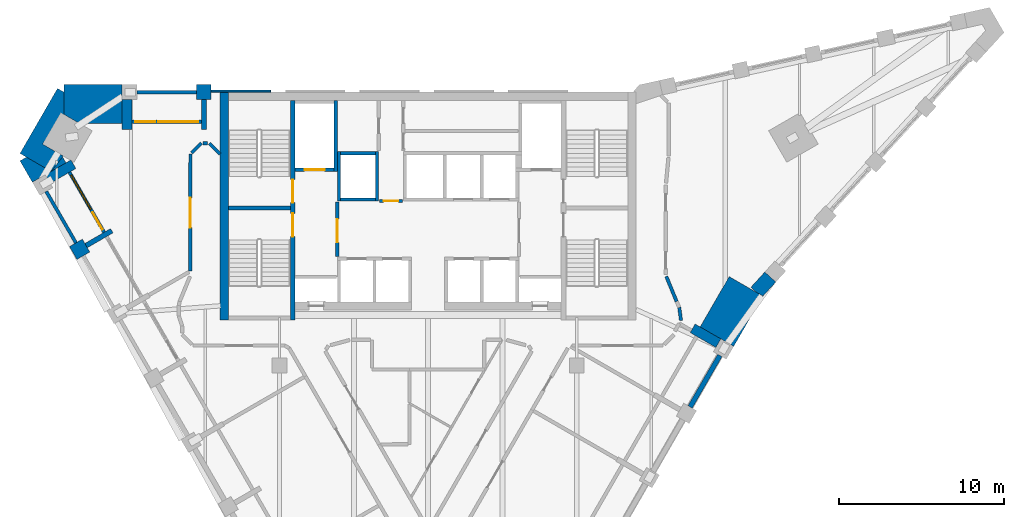
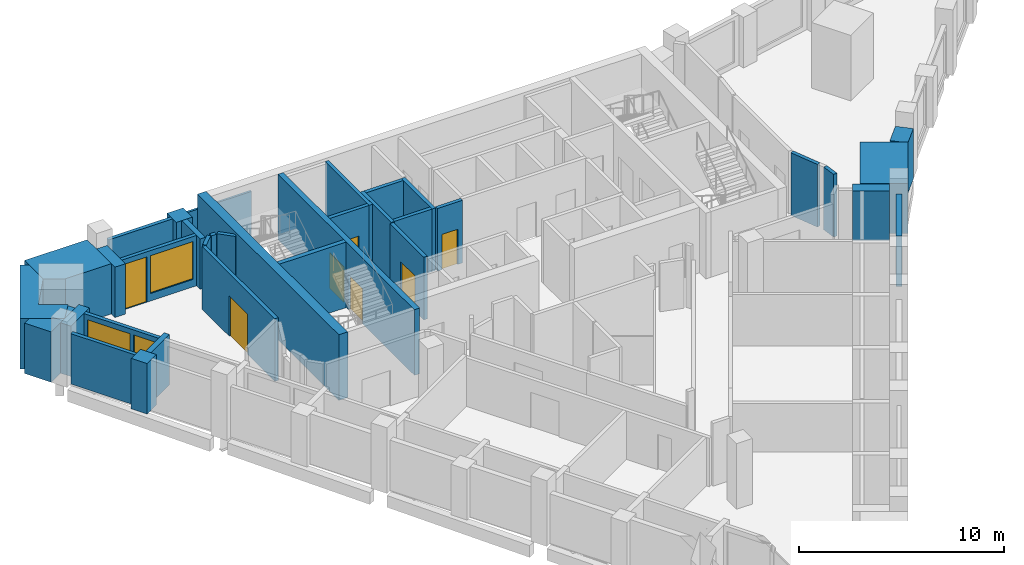
# One storey, part 5 of 8: 36 walls, 8 doors, 2 windows, 10 openings.
"""IFC4 building model written with IfcOpenShell, lengths in metres."""

from ifc_helpers import new_model, si_unit, direction, frame, frame_2d, origin, place, context, subcontext, project, spatial, polyline, rectangle, outline, extrude, material, layer, layer_set, type_object, element, fill, save


model = new_model("IFC4")

# Units and contexts
model_context = context("Model", 3, precision=1e-05, world=origin(), true_north=direction((0.0, 1.0)))
body_context = subcontext(model_context, "Body", "Model", "MODEL_VIEW")
ifc_project = project(units=[si_unit("LENGTHUNIT", "METRE"), si_unit("AREAUNIT", "SQUARE_METRE"), si_unit("VOLUMEUNIT", "CUBIC_METRE"), si_unit("PLANEANGLEUNIT", "RADIAN"), si_unit("MASSUNIT", "GRAM", prefix="KILO")], contexts=[model_context])

# Site, building, storey
site_placement = place(None, origin())
site = spatial("IfcSite", under=ifc_project, at=site_placement, CompositionType="ELEMENT")
building_placement = place(site_placement, origin())
building = spatial("IfcBuilding", under=site, at=building_placement, Name="Calabash Gate Tower", CompositionType="ELEMENT")
storey_placement = place(building_placement, frame((0.0, 0.0, 267.699951171875)))
storey = spatial("IfcBuildingStorey", under=building, at=storey_placement, Name="L64", CompositionType="ELEMENT", Elevation=267.699951171875)

# Walls
ifc_material_1 = material(Name="Terracotta brick masonry, exposed face", Category="masonry")
ifc_layer_1 = layer(ifc_material_1, 2.35009765625)
ifc_layer_set_1 = layer_set([ifc_layer_1], Name="Brick corner mass wall 2350")
wall_type_1 = type_object("IfcWallType", Name="Brick corner mass wall 2350", PredefinedType="SOLIDWALL", material=ifc_layer_set_1)
wall_1_placement = place(storey_placement, origin())
element("IfcWall", 1, at=wall_1_placement, inside=storey, type_object=wall_type_1, Name="Brick corner pier S18 2", PredefinedType="SOLIDWALL", context=body_context, shape_type="SweptSolid", body=[
    extrude(outline(polyline([(18.236083984375, 7.878173828125), (16.47607421875, 4.829833984375), (18.51123046875, 3.65478515625), (20.271240234375, 6.703125), (18.236083984375, 7.878173828125)])), origin(), (0.0, 0.0, 1.0), 2.9736328125),
])
wall_2_placement = place(storey_placement, origin())
element("IfcWall", 2, at=wall_2_placement, inside=storey, type_object=wall_type_1, Name="Brick corner pier S18 3a", PredefinedType="SOLIDWALL", context=body_context, shape_type="SweptSolid", body=[
    extrude(outline(polyline([(-21.11572265625, 17.152587890625), (-18.53857421875, 17.152587890625), (-18.53857421875, 18.60302734375), (-18.5390625, 18.60302734375), (-18.5390625, 19.50244140625), (-22.058349609375, 19.50244140625), (-22.058349609375, 17.69677734375), (-21.11572265625, 17.152587890625)])), origin(), (0.0, 0.0, 1.0), 3.0),
])
wall_3_placement = place(storey_placement, origin())
element("IfcWall", 3, at=wall_3_placement, inside=storey, type_object=wall_type_1, Name="Brick corner pier S18 3b", PredefinedType="SOLIDWALL", context=body_context, shape_type="SweptSolid", body=[
    extrude(outline(polyline([(-23.355712890625, 15.9052734375), (-22.058349609375, 17.69677734375), (-22.058349609375, 19.052490234375), (-22.4482421875, 19.277587890625), (-24.72216796875, 15.3388671875), (-22.836669921875, 14.250244140625), (-22.10009765625, 15.180419921875), (-23.355712890625, 15.9052734375)])), origin(), (0.0, 0.0, 1.0), 3.0),
])
wall_4_placement = place(storey_placement, origin())
element("IfcWall", 4, at=wall_4_placement, inside=storey, type_object=wall_type_1, Name="Brick corner pier S18 3ca", PredefinedType="SOLIDWALL", context=body_context, shape_type="SweptSolid", body=[
    extrude(outline(polyline([(-23.974609375, 13.59375), (-23.1953125, 14.043701171875), (-23.195068359375, 14.043212890625), (-22.836669921875, 14.250244140625), (-24.33251953125, 15.11376953125), (-24.72216796875, 14.888916015625), (-23.974609375, 13.59375)])), origin(), (0.0, 0.0, 1.0), 3.0),
])
wall_5_placement = place(storey_placement, origin())
element("IfcWall", 5, at=wall_5_placement, inside=storey, type_object=wall_type_1, Name="Brick corner pier S18 3cb", PredefinedType="SOLIDWALL", context=body_context, shape_type="SweptSolid", body=[
    extrude(outline(polyline([(-21.939208984375, 14.768310546875), (-22.14453125, 15.124267578125), (-22.836669921875, 14.250244140625), (-21.939208984375, 14.768310546875)])), origin(), (0.0, 0.0, 1.0), 3.0),
])
ifc_material_2 = material(Name="Terracotta brick masonry, exposed face", Category="masonry")
ifc_layer_2 = layer(ifc_material_2, 0.89990234375)
ifc_layer_set_2 = layer_set([ifc_layer_2], Name="Brick end wall 900")
wall_type_2 = type_object("IfcWallType", Name="Brick end wall 900", PredefinedType="SOLIDWALL", material=ifc_layer_set_2)
wall_6_placement = place(storey_placement, frame((-21.33447265625, 9.921142578125, 0.0), z_axis=(0.0, 0.0, 1.0), x_axis=(0.50001992892, -0.866013897511, 0.0)))
element("IfcWall", 6, at=wall_6_placement, inside=storey, type_object=wall_type_2, Name="Brick pier S18 SW0.1", PredefinedType="SOLIDWALL", context=body_context, shape_type="SweptSolid", body=[
    extrude(rectangle(XDim=0.89990234375, YDim=0.89990234375, at=frame_2d((0.449951171875, 0.0))), origin(), (0.0, 0.0, 1.0), 3.0),
])
wall_7_placement = place(storey_placement, origin())
element("IfcWall", 7, at=wall_7_placement, inside=storey, type_object=wall_type_2, Name="Brick pier S18 N6.5", PredefinedType="SOLIDWALL", context=body_context, shape_type="SweptSolid", body=[
    extrude(outline(polyline([(-13.138427734375, 19.50244140625), (-14.03857421875, 19.50244140625), (-14.03857421875, 18.6025390625), (-13.138427734375, 18.6025390625), (-13.138427734375, 19.50244140625)])), origin(), (0.0, 0.0, 1.0), 3.0),
])
wall_8_placement = place(storey_placement, origin())
element("IfcWall", 8, at=wall_8_placement, inside=storey, type_object=wall_type_2, Name="Brick end wall S18 1", PredefinedType="SOLIDWALL", context=body_context, shape_type="SweptSolid", body=[
    extrude(outline(polyline([(20.394775390625, 8.15625), (19.54931640625, 7.23193359375), (19.88134765625, 6.92822265625), (20.271240234375, 6.703125), (20.24658203125, 6.66064453125), (21.058837890625, 7.548828125), (20.394775390625, 8.15625)])), origin(), (0.0, 0.0, 1.0), 3.0),
])
ifc_material_3 = material(Name="Terracotta brick masonry, exposed face", Category="masonry")
ifc_layer_3 = layer(ifc_material_3, 0.300048828125)
ifc_layer_set_3 = layer_set([ifc_layer_3], Name="Brick infill panel wall 300")
wall_type_3 = type_object("IfcWallType", Name="Brick infill panel wall 300", PredefinedType="SOLIDWALL", material=ifc_layer_set_3)
wall_9_placement = place(storey_placement, frame((15.87158203125, -0.017333984375, 0.0), z_axis=(0.0, 0.0, 1.0), x_axis=(0.499990559667, 0.866030854095, 0.0)))
element("IfcWall", 9, at=wall_9_placement, inside=storey, type_object=wall_type_3, Name="Brick panel S18 SE2.6", PredefinedType="SOLIDWALL", context=body_context, shape_type="SweptSolid", body=[
    extrude(rectangle(XDim=3.599609375, YDim=0.300048828125, at=frame_2d((1.7998046875, 0.0))), origin(), (0.0, 0.0, 1.0), 3.0),
])
ifc_material_4 = material(Name="Terracotta brick masonry, exposed face", Category="masonry")
ifc_layer_4 = layer(ifc_material_4, 0.300048828125)
ifc_layer_set_4 = layer_set([ifc_layer_4], Name="Brick loggia cheek wall 300")
wall_type_4 = type_object("IfcWallType", Name="Brick loggia cheek wall 300", PredefinedType="SOLIDWALL", material=ifc_layer_set_4)
wall_10_placement = place(storey_placement, frame((-21.486083984375, 14.68359375, 0.0), z_axis=(0.0, 0.0, 1.0), x_axis=(-0.865989075817, -0.500062916607, 0.0)))
element("IfcWall", 10, at=wall_10_placement, inside=storey, type_object=wall_type_4, Name="Loggia cheek S18 SW0.0", PredefinedType="SOLIDWALL", context=body_context, shape_type="SweptSolid", body=[
    extrude(rectangle(XDim=1.800048828125, YDim=0.60009765625, at=frame_2d((0.89990234375, 0.0))), origin(), (0.0, 0.0, 1.0), 3.0),
])
wall_11_placement = place(storey_placement, frame((-20.7197265625, 9.756591796875, 0.0), z_axis=(0.0, 0.0, 1.0), x_axis=(0.866047807691, 0.499961193289, 0.0)))
element("IfcWall", 11, at=wall_11_placement, inside=storey, type_object=wall_type_4, Name="Loggia cheek S18 SW0.1", PredefinedType="SOLIDWALL", context=body_context, shape_type="SweptSolid", body=[
    extrude(rectangle(XDim=1.800048828125, YDim=0.300048828125, at=frame_2d((0.89990234375, 0.0))), origin(), (0.0, 0.0, 1.0), 3.0),
])
wall_12_placement = place(storey_placement, frame((16.02294921875, 4.7451171875, 0.0), z_axis=(0.0, 0.0, 1.0), x_axis=(0.865989075817, -0.500062916607, 0.0)))
element("IfcWall", 12, at=wall_12_placement, inside=storey, type_object=wall_type_4, Name="Loggia cheek S18 SE2.6", PredefinedType="SOLIDWALL", context=body_context, shape_type="SweptSolid", body=[
    extrude(rectangle(XDim=1.800048828125, YDim=0.60009765625, at=frame_2d((0.89990234375, 0.0))), origin(), (0.0, 0.0, 1.0), 2.9501953125),
])
wall_13_placement = place(storey_placement, origin())
element("IfcWall", 13, at=wall_13_placement, inside=storey, type_object=wall_type_4, Name="Loggia cheek S18 N6.5", PredefinedType="SOLIDWALL", context=body_context, shape_type="SweptSolid", body=[
    extrude(outline(polyline([(-13.4384765625, 16.802490234375), (-13.4384765625, 18.6025390625), (-13.738525390625, 18.6025390625), (-13.738525390625, 16.802490234375), (-13.4384765625, 16.802490234375)])), origin(), (0.0, 0.0, 1.0), 3.0),
])
wall_14_placement = place(storey_placement, origin())
element("IfcWall", 14, at=wall_14_placement, inside=storey, type_object=wall_type_4, Name="Loggia cheek S18 N6.6", PredefinedType="SOLIDWALL", context=body_context, shape_type="SweptSolid", body=[
    extrude(outline(polyline([(-18.53857421875, 18.6025390625), (-18.53857421875, 16.802490234375), (-17.9384765625, 16.802490234375), (-17.9384765625, 18.6025390625), (-18.53857421875, 18.6025390625)])), origin(), (0.0, 0.0, 1.0), 3.0),
])
ifc_material_5 = material(Name="Concrete C60/75", Category="concrete")
ifc_layer_5 = layer(ifc_material_5, 0.25)
ifc_layer_set_5 = layer_set([ifc_layer_5], Name="Core wall 250 Concrete C60/75")
wall_type_5 = type_object("IfcWallType", Name="Core wall 250 Concrete C60/75", PredefinedType="SHEAR", material=ifc_layer_set_5)
wall_15_placement = place(storey_placement, frame((-12.10009765625, 12.027587890625, 0.0), z_axis=(0.0, 0.0, 1.0), x_axis=(1.0, 0.0, 0.0)))
element("IfcWall", 15, at=wall_15_placement, inside=storey, type_object=wall_type_5, Name="Core wall Z5-MIDW L64", PredefinedType="SHEAR", context=body_context, shape_type="SweptSolid", body=[
    extrude(rectangle(XDim=3.75, YDim=0.25, at=frame_2d((1.875, 0.0))), origin(), (0.0, 0.0, 1.0), 3.900146484375),
])

# Wall, openings, doors
ifc_material_6 = material(Name="Concrete C60/75", Category="concrete")
ifc_layer_6 = layer(ifc_material_6, 0.300048828125)
ifc_layer_set_6 = layer_set([ifc_layer_6], Name="Core wall 300 Concrete C60/75")
wall_type_6 = type_object("IfcWallType", Name="Core wall 300 Concrete C60/75", PredefinedType="SHEAR", material=ifc_layer_set_6)
wall_16_placement = place(storey_placement, frame((-8.199951171875, 5.252685546875, 0.0), z_axis=(0.0, 0.0, 1.0), x_axis=(0.0, 1.0, 0.0)))
wall_16 = element("IfcWall", 16, at=wall_16_placement, inside=storey, type_object=wall_type_6, Name="Core wall Z5-PARTW L64", PredefinedType="SHEAR", context=body_context, shape_type="SweptSolid", body=[
    extrude(rectangle(XDim=13.2998046875, YDim=0.300048828125, at=frame_2d((6.64990234375, 0.0))), origin(), (0.0, 0.0, 1.0), 3.900146484375),
])
opening_1_placement = place(wall_16_placement, frame((7.10009765625, 0.0, 0.0)))
opening_1 = element("IfcOpeningElement", 17, at=opening_1_placement, cuts=wall_16, Name="Opening O10-009", PredefinedType="OPENING", context=body_context, shape_type="SweptSolid", body=[
    extrude(rectangle(XDim=1.39990234375, YDim=2.10009765625, at=frame_2d((0.699951171875, 1.050048828125))), frame((0.0, 0.159912109375, 0.0), z_axis=(0.0, -1.0, 0.0), x_axis=(1.0, 0.0, 0.0)), (0.0, 0.0, 1.0), 0.320068359375),
])
opening_2_placement = place(wall_16_placement, frame((5.050048828125, 0.0, 0.0)))
opening_2 = element("IfcOpeningElement", 18, at=opening_2_placement, cuts=wall_16, Name="Opening O10-010", PredefinedType="OPENING", context=body_context, shape_type="SweptSolid", body=[
    extrude(rectangle(XDim=1.39990234375, YDim=2.10009765625, at=frame_2d((0.699951171875, 1.050048828125))), frame((0.0, 0.159912109375, 0.0), z_axis=(0.0, -1.0, 0.0), x_axis=(1.0, 0.0, 0.0)), (0.0, 0.0, 1.0), 0.320068359375),
])
ifc_material_7 = material(Name="Steel fire door set with fire-resisting glazing", Category="steel")
door_type_1 = type_object("IfcDoorType", Name="Fire door D05 1400x2100 FD90", OperationType="NOTDEFINED", PredefinedType="DOOR", material=ifc_material_7)
door_1_placement = place(opening_1_placement, origin())
door_1 = element("IfcDoor", 19, at=door_1_placement, inside=storey, type_object=door_type_1, Name="Exit stair door ST1", OperationType="SINGLE_SWING_LEFT", OverallHeight=2.10009765625, OverallWidth=1.39990234375, PredefinedType="DOOR", context=body_context, shape_type="SweptSolid", body=[
    extrude(rectangle(XDim=1.39990234375, YDim=2.10009765625, at=frame_2d((0.699951171875, 1.050048828125))), frame((0.0, 0.02490234375, 0.0), z_axis=(0.0, -1.0, 0.0), x_axis=(1.0, 0.0, 0.0)), (0.0, 0.0, 1.0), 0.050048828125),
])
fill(opening_1, door_1)
door_2_placement = place(opening_2_placement, origin())
door_2 = element("IfcDoor", 20, at=door_2_placement, inside=storey, type_object=door_type_1, Name="Exit stair door ST2", OperationType="SINGLE_SWING_LEFT", OverallHeight=2.10009765625, OverallWidth=1.39990234375, PredefinedType="DOOR", context=body_context, shape_type="SweptSolid", body=[
    extrude(rectangle(XDim=1.39990234375, YDim=2.10009765625, at=frame_2d((0.699951171875, 1.050048828125))), frame((0.0, 0.02490234375, 0.0), z_axis=(0.0, -1.0, 0.0), x_axis=(1.0, 0.0, 0.0)), (0.0, 0.0, 1.0), 0.050048828125),
])
fill(opening_2, door_2)

# Walls
ifc_material_8 = material(Name="Concrete C60/75", Category="concrete")
ifc_layer_7 = layer(ifc_material_8, 0.5)
ifc_layer_set_7 = layer_set([ifc_layer_7], Name="Core wall 500 Concrete C60/75")
wall_type_7 = type_object("IfcWallType", Name="Core wall 500 Concrete C60/75", PredefinedType="SHEAR", material=ifc_layer_set_7)
wall_17_placement = place(storey_placement, frame((-12.35009765625, 5.252685546875, 0.0), z_axis=(0.0, 0.0, 1.0), x_axis=(0.0, 1.0, 0.0)))
element("IfcWall", 21, at=wall_17_placement, inside=storey, type_object=wall_type_7, Name="Core wall Z5-COLW L64", PredefinedType="SHEAR", context=body_context, shape_type="SweptSolid", body=[
    extrude(rectangle(XDim=13.7998046875, YDim=0.5, at=frame_2d((6.89990234375, 0.0))), origin(), (0.0, 0.0, 1.0), 3.900146484375),
])
ifc_material_9 = material(Name="Gypsum board on steel studs, mineral wool", Category="steel")
ifc_layer_8 = layer(ifc_material_9, 0.199951171875)
ifc_layer_set_8 = layer_set([ifc_layer_8], Name="Partition 200 gypsum board EI 60")
wall_type_8 = type_object("IfcWallType", Name="Partition 200 gypsum board EI 60", PredefinedType="PARTITIONING", material=ifc_layer_set_8)
wall_18_placement = place(storey_placement, frame((15.210693359375, 6.015869140625, 0.0), z_axis=(0.0, 0.0, 1.0), x_axis=(0.130572336197, -0.991438785312, 0.0)))
element("IfcWall", 22, at=wall_18_placement, inside=storey, type_object=wall_type_8, Name="Partition", PredefinedType="PARTITIONING", context=body_context, shape_type="SweptSolid", body=[
    extrude(rectangle(XDim=0.803955078125, YDim=0.199951171875, at=frame_2d((0.40185546875, 0.0))), origin(), (0.0, 0.0, 1.0), 3.72998046875),
])
wall_19_placement = place(storey_placement, frame((14.425048828125, 7.892822265625, 0.0), z_axis=(0.0, 0.0, 1.0), x_axis=(0.380824536343, -0.924647323318, 0.0)))
element("IfcWall", 23, at=wall_19_placement, inside=storey, type_object=wall_type_8, Name="Partition", PredefinedType="PARTITIONING", context=body_context, shape_type="SweptSolid", body=[
    extrude(rectangle(XDim=1.64306640625, YDim=0.199951171875, at=frame_2d((0.821533203125, 0.0))), origin(), (0.0, 0.0, 1.0), 3.72998046875),
])

# Wall, opening, door
wall_20_placement = place(storey_placement, frame((-14.402099609375, 8.2080078125, 0.0), z_axis=(0.0, 0.0, 1.0), x_axis=(0.000241221262, 0.999999970906, 0.0)))
wall_20 = element("IfcWall", 24, at=wall_20_placement, inside=storey, type_object=wall_type_8, Name="Partition", PredefinedType="PARTITIONING", context=body_context, shape_type="SweptSolid", body=[
    extrude(rectangle(XDim=7.084716796875, YDim=0.199951171875, at=frame_2d((3.54248046875, 0.0))), origin(), (0.0, 0.0, 1.0), 3.72998046875),
])
opening_3_placement = place(wall_20_placement, frame((2.642822265625, 0.0, 0.0)))
opening_3 = element("IfcOpeningElement", 25, at=opening_3_placement, cuts=wall_20, Name="Opening 62-64-006", PredefinedType="OPENING", context=body_context, shape_type="SweptSolid", body=[
    extrude(rectangle(XDim=1.800048828125, YDim=2.39990234375, at=frame_2d((0.89990234375, 1.199951171875))), frame((0.0, 0.10986328125, 0.0), z_axis=(0.0, -1.0, 0.0), x_axis=(1.0, 0.0, 0.0)), (0.0, 0.0, 1.0), 0.219970703125),
])
ifc_material_10 = material(Name="Steel fire door set with fire-resisting glazing", Category="steel")
door_type_2 = type_object("IfcDoorType", Name="OD5 Open office double door 1800x2400", OperationType="NOTDEFINED", PredefinedType="DOOR", material=ifc_material_10)
door_3_placement = place(opening_3_placement, origin())
door_3 = element("IfcDoor", 26, at=door_3_placement, inside=storey, type_object=door_type_2, Name="Open office double door", OperationType="DOUBLE_DOOR_SINGLE_SWING", OverallHeight=2.39990234375, OverallWidth=1.800048828125, PredefinedType="DOOR", context=body_context, shape_type="SweptSolid", body=[
    extrude(rectangle(XDim=1.800048828125, YDim=2.39990234375, at=frame_2d((0.89990234375, 1.199951171875))), frame((0.0, 0.02490234375, 0.0), z_axis=(0.0, -1.0, 0.0), x_axis=(1.0, 0.0, 0.0)), (0.0, 0.0, 1.0), 0.050048828125),
])
fill(opening_3, door_3)

# Walls
wall_21_placement = place(storey_placement, frame((-14.329833984375, 15.36328125, 0.0), z_axis=(0.0, 0.0, 1.0), x_axis=(0.707106781187, 0.707106781187, 0.0)))
element("IfcWall", 27, at=wall_21_placement, inside=storey, type_object=wall_type_8, Name="Partition", PredefinedType="PARTITIONING", context=body_context, shape_type="SweptSolid", body=[
    extrude(rectangle(XDim=0.834228515625, YDim=0.199951171875, at=frame_2d((0.4169921875, 0.0))), origin(), (0.0, 0.0, 1.0), 3.72998046875),
])
wall_22_placement = place(storey_placement, frame((-13.639892578125, 15.952880859375, 0.0), z_axis=(0.0, 0.0, 1.0), x_axis=(1.0, 0.0, 0.0)))
element("IfcWall", 28, at=wall_22_placement, inside=storey, type_object=wall_type_8, Name="Partition", PredefinedType="PARTITIONING", context=body_context, shape_type="SweptSolid", body=[
    extrude(rectangle(XDim=0.280029296875, YDim=0.199951171875, at=frame_2d((0.14013671875, 0.0))), origin(), (0.0, 0.0, 1.0), 3.72998046875),
])
wall_23_placement = place(storey_placement, frame((-13.259765625, 15.952880859375, 0.0), z_axis=(0.0, 0.0, 1.0), x_axis=(0.708285399161, -0.705926195389, 0.0)))
element("IfcWall", 29, at=wall_23_placement, inside=storey, type_object=wall_type_8, Name="Partition", PredefinedType="PARTITIONING", context=body_context, shape_type="SweptSolid", body=[
    extrude(rectangle(XDim=0.931396484375, YDim=0.199951171875, at=frame_2d((0.4658203125, 0.0))), origin(), (0.0, 0.0, 1.0), 3.72998046875),
])

# Wall, opening, door
ifc_material_11 = material(Name="Concrete C40/50", Category="concrete")
ifc_layer_9 = layer(ifc_material_11, 0.199951171875)
ifc_layer_set_9 = layer_set([ifc_layer_9], Name="Shaft wall 200 Concrete C40/50")
wall_type_9 = type_object("IfcWallType", Name="Shaft wall 200 Concrete C40/50", PredefinedType="SOLIDWALL", material=ifc_layer_set_9)
wall_24_placement = place(storey_placement, frame((-5.5, 9.1025390625, 0.0), z_axis=(0.0, 0.0, 1.0), x_axis=(0.0, 1.0, 0.0)))
wall_24 = element("IfcWall", 30, at=wall_24_placement, inside=storey, type_object=wall_type_9, Name="Shaft wall", PredefinedType="SOLIDWALL", context=body_context, shape_type="SweptSolid", body=[
    extrude(rectangle(XDim=3.300048828125, YDim=0.199951171875, at=frame_2d((1.64990234375, 0.0))), origin(), (0.0, 0.0, 1.0), 3.72998046875),
])
opening_4_placement = place(wall_24_placement, frame((0.85009765625, 0.0, 0.0)))
opening_4 = element("IfcOpeningElement", 31, at=opening_4_placement, cuts=wall_24, Name="Opening O10-003", PredefinedType="OPENING", context=body_context, shape_type="SweptSolid", body=[
    extrude(rectangle(XDim=1.39990234375, YDim=2.10009765625, at=frame_2d((0.699951171875, 1.050048828125))), frame((0.0, 0.10986328125, 0.0), z_axis=(0.0, -1.0, 0.0), x_axis=(1.0, 0.0, 0.0)), (0.0, 0.0, 1.0), 0.219970703125),
])
door_4_placement = place(opening_4_placement, origin())
door_4 = element("IfcDoor", 32, at=door_4_placement, inside=storey, type_object=door_type_1, Name="Firefighting Lobby W door", OperationType="SINGLE_SWING_RIGHT", OverallHeight=2.10009765625, OverallWidth=1.39990234375, PredefinedType="DOOR", context=body_context, shape_type="SweptSolid", body=[
    extrude(rectangle(XDim=1.39990234375, YDim=2.10009765625, at=frame_2d((0.699951171875, 1.050048828125))), frame((0.0, 0.02490234375, 0.0), z_axis=(0.0, -1.0, 0.0), x_axis=(1.0, 0.0, 0.0)), (0.0, 0.0, 1.0), 0.050048828125),
])
fill(opening_4, door_4)

wall_25_placement = place(storey_placement, frame((-2.949951171875, 12.45263671875, 0.0), z_axis=(0.0, 0.0, 1.0), x_axis=(1.0, 0.0, 0.0)))
wall_25 = element("IfcWall", 33, at=wall_25_placement, inside=storey, type_object=wall_type_9, Name="Shaft wall", PredefinedType="SOLIDWALL", context=body_context, shape_type="SweptSolid", body=[
    extrude(rectangle(XDim=1.39990234375, YDim=0.199951171875, at=frame_2d((0.699951171875, 0.0))), origin(), (0.0, 0.0, 1.0), 3.72998046875),
])
opening_5_placement = place(wall_25_placement, frame((0.25, 0.0, 0.0)))
opening_5 = element("IfcOpeningElement", 34, at=opening_5_placement, cuts=wall_25, Name="Opening O10-001", PredefinedType="OPENING", context=body_context, shape_type="SweptSolid", body=[
    extrude(rectangle(XDim=0.89990234375, YDim=2.10009765625, at=frame_2d((0.449951171875, 1.050048828125))), frame((0.0, 0.10986328125, 0.0), z_axis=(0.0, -1.0, 0.0), x_axis=(1.0, 0.0, 0.0)), (0.0, 0.0, 1.0), 0.219970703125),
])
ifc_material_12 = material(Name="Steel fire door set with fire-resisting glazing", Category="steel")
door_type_3 = type_object("IfcDoorType", Name="Fire door D06 900x2100 FD60", OperationType="NOTDEFINED", PredefinedType="DOOR", material=ifc_material_12)
door_5_placement = place(opening_5_placement, origin())
door_5 = element("IfcDoor", 35, at=door_5_placement, inside=storey, type_object=door_type_3, Name="Service Corridor door", OperationType="SINGLE_SWING_RIGHT", OverallHeight=2.10009765625, OverallWidth=0.89990234375, PredefinedType="DOOR", context=body_context, shape_type="SweptSolid", body=[
    extrude(rectangle(XDim=0.89990234375, YDim=2.10009765625, at=frame_2d((0.449951171875, 1.050048828125))), frame((0.0, 0.02490234375, 0.0), z_axis=(0.0, -1.0, 0.0), x_axis=(1.0, 0.0, 0.0)), (0.0, 0.0, 1.0), 0.050048828125),
])
fill(opening_5, door_5)

# Walls
wall_26_placement = place(storey_placement, frame((-5.39990234375, 12.45263671875, 0.0), z_axis=(0.0, 0.0, 1.0), x_axis=(0.0, 1.0, 0.0)))
element("IfcWall", 36, at=wall_26_placement, inside=storey, type_object=wall_type_9, Name="Shaft wall", PredefinedType="SOLIDWALL", context=body_context, shape_type="SweptSolid", body=[
    extrude(rectangle(XDim=3.0, YDim=0.199951171875, at=frame_2d((1.5, 0.0))), origin(), (0.0, 0.0, 1.0), 3.72998046875),
])
wall_27_placement = place(storey_placement, frame((-5.300048828125, 12.552490234375, 0.0), z_axis=(0.0, 0.0, 1.0), x_axis=(1.0, 0.0, 0.0)))
element("IfcWall", 37, at=wall_27_placement, inside=storey, type_object=wall_type_9, Name="Shaft wall", PredefinedType="SOLIDWALL", context=body_context, shape_type="SweptSolid", body=[
    extrude(rectangle(XDim=2.10009765625, YDim=0.199951171875, at=frame_2d((1.050048828125, 0.0))), origin(), (0.0, 0.0, 1.0), 3.72998046875),
])
wall_28_placement = place(storey_placement, frame((-3.10009765625, 12.45263671875, 0.0), z_axis=(0.0, 0.0, 1.0), x_axis=(0.0, 1.0, 0.0)))
element("IfcWall", 38, at=wall_28_placement, inside=storey, type_object=wall_type_9, Name="Shaft wall", PredefinedType="SOLIDWALL", context=body_context, shape_type="SweptSolid", body=[
    extrude(rectangle(XDim=3.0, YDim=0.199951171875, at=frame_2d((1.5, 0.0))), origin(), (0.0, 0.0, 1.0), 3.72998046875),
])

# Wall, opening, door
wall_29_placement = place(storey_placement, frame((-8.050048828125, 14.3525390625, 0.0), z_axis=(0.0, 0.0, 1.0), x_axis=(1.0, 0.0, 0.0)))
wall_29 = element("IfcWall", 39, at=wall_29_placement, inside=storey, type_object=wall_type_9, Name="Shaft wall", PredefinedType="SOLIDWALL", context=body_context, shape_type="SweptSolid", body=[
    extrude(rectangle(XDim=2.35009765625, YDim=0.199951171875, at=frame_2d((1.175048828125, 0.0))), origin(), (0.0, 0.0, 1.0), 3.72998046875),
])
opening_6_placement = place(wall_29_placement, frame((0.574951171875, 0.0, 0.0)))
opening_6 = element("IfcOpeningElement", 40, at=opening_6_placement, cuts=wall_29, Name="Opening LD-FF1", PredefinedType="OPENING", context=body_context, shape_type="SweptSolid", body=[
    extrude(rectangle(XDim=1.199951171875, YDim=2.10009765625, at=frame_2d((0.60009765625, 1.050048828125))), frame((0.0, 0.10986328125, 0.0), z_axis=(0.0, -1.0, 0.0), x_axis=(1.0, 0.0, 0.0)), (0.0, 0.0, 1.0), 0.219970703125),
])
ifc_material_13 = material(Name="Stainless steel sliding door leaves", Category="steel")
door_type_4 = type_object("IfcDoorType", Name="Lift landing door LS3 1200x2100 FD90", OperationType="DOUBLE_DOOR_SLIDING", PredefinedType="DOOR", material=ifc_material_13)
door_6_placement = place(opening_6_placement, origin())
door_6 = element("IfcDoor", 41, at=door_6_placement, inside=storey, type_object=door_type_4, Name="Lift landing door FF1", OperationType="DOUBLE_DOOR_SLIDING", OverallHeight=2.10009765625, OverallWidth=1.199951171875, PredefinedType="DOOR", context=body_context, shape_type="SweptSolid", body=[
    extrude(rectangle(XDim=1.199951171875, YDim=2.10009765625, at=frame_2d((0.60009765625, 1.050048828125))), frame((0.0, 0.02490234375, 0.0), z_axis=(0.0, -1.0, 0.0), x_axis=(1.0, 0.0, 0.0)), (0.0, 0.0, 1.0), 0.050048828125),
])
fill(opening_6, door_6)

# Walls
wall_30_placement = place(storey_placement, frame((-5.60009765625, 14.252685546875, 0.0), z_axis=(0.0, 0.0, 1.0), x_axis=(0.0, 1.0, 0.0)))
element("IfcWall", 42, at=wall_30_placement, inside=storey, type_object=wall_type_9, Name="Shaft wall", PredefinedType="SOLIDWALL", context=body_context, shape_type="SweptSolid", body=[
    extrude(rectangle(XDim=4.2998046875, YDim=0.199951171875, at=frame_2d((2.14990234375, 0.0))), origin(), (0.0, 0.0, 1.0), 3.72998046875),
])
wall_31_placement = place(storey_placement, frame((-5.300048828125, 15.3525390625, 0.0), z_axis=(0.0, 0.0, 1.0), x_axis=(1.0, 0.0, 0.0)))
element("IfcWall", 43, at=wall_31_placement, inside=storey, type_object=wall_type_9, Name="Shaft wall", PredefinedType="SOLIDWALL", context=body_context, shape_type="SweptSolid", body=[
    extrude(rectangle(XDim=2.10009765625, YDim=0.199951171875, at=frame_2d((1.050048828125, 0.0))), origin(), (0.0, 0.0, 1.0), 3.72998046875),
])
ifc_material_14 = material(Name="Terracotta brick masonry, perforated", Category="masonry")
ifc_layer_10 = layer(ifc_material_14, 0.1201171875)
ifc_layer_set_10 = layer_set([ifc_layer_10], Name="Terracotta jaali cladding B 120")
wall_type_10 = type_object("IfcWallType", Name="Terracotta jaali cladding B 120", PredefinedType="SOLIDWALL", material=ifc_layer_set_10)
wall_32_placement = place(storey_placement, origin())
element("IfcWall", 44, at=wall_32_placement, inside=storey, type_object=wall_type_10, Name="Jaali cladding S18 N6.5", PredefinedType="SOLIDWALL", context=body_context, shape_type="SweptSolid", body=[
    extrude(outline(polyline([(-13.137939453125, 19.172607421875), (-13.137939453125, 19.052490234375), (-9.53857421875, 19.052490234375), (-9.53857421875, 19.172607421875), (-13.137939453125, 19.172607421875)])), origin(), (0.0, 0.0, 1.0), 3.0),
])
ifc_material_15 = material(Name="Terracotta brick masonry, perforated", Category="masonry")
ifc_layer_11 = layer(ifc_material_15, 0.199951171875)
ifc_layer_set_11 = layer_set([ifc_layer_11], Name="Terracotta jaali screen B")
wall_type_11 = type_object("IfcWallType", Name="Terracotta jaali screen B", PredefinedType="SOLIDWALL", material=ifc_layer_set_11)
wall_33_placement = place(storey_placement, frame((-23.134521484375, 13.038818359375, 0.0), z_axis=(0.0, 0.0, 1.0), x_axis=(0.500012057535, -0.866018442252, 0.0)))
element("IfcWall", 45, at=wall_33_placement, inside=storey, type_object=wall_type_11, Name="SCREEN B S18 SW0.1", PredefinedType="SOLIDWALL", context=body_context, shape_type="SweptSolid", body=[
    extrude(rectangle(XDim=3.60009765625, YDim=0.199951171875, at=frame_2d((1.800048828125, 0.0))), origin(), (0.0, 0.0, 1.0), 3.0),
])
wall_34_placement = place(storey_placement, frame((-14.03857421875, 19.052490234375, 0.0), z_axis=(0.0, 0.0, 1.0), x_axis=(-1.0, 0.0, 0.0)))
element("IfcWall", 46, at=wall_34_placement, inside=storey, type_object=wall_type_11, Name="SCREEN B S18 N6.6", PredefinedType="SOLIDWALL", context=body_context, shape_type="SweptSolid", body=[
    extrude(rectangle(XDim=3.599853515625, YDim=0.199951171875, at=frame_2d((1.7998046875, 0.0))), origin(), (0.0, 0.0, 1.0), 3.0),
])

# Wall, openings, door, window
ifc_material_16 = material(Name="Aluminium framed window wall with insulated spandrel", Category="aluminium")
ifc_layer_12 = layer(ifc_material_16, 0.199951171875)
ifc_layer_set_12 = layer_set([ifc_layer_12], Name="Window wall 200")
wall_type_12 = type_object("IfcWallType", Name="Window wall 200", PredefinedType="ELEMENTEDWALL", material=ifc_layer_set_12)
wall_35_placement = place(storey_placement, frame((-21.7255859375, 14.19873046875, 0.0), z_axis=(0.0, 0.0, 1.0), x_axis=(0.499958946799, -0.866049104564, 0.0)))
wall_35 = element("IfcWall", 47, at=wall_35_placement, inside=storey, type_object=wall_type_12, Name="Window wall S18 SW0.1", PredefinedType="ELEMENTEDWALL", context=body_context, shape_type="SweptSolid", body=[
    extrude(rectangle(XDim=4.199951171875, YDim=0.199951171875, at=frame_2d((2.10009765625, 0.0))), origin(), (0.0, 0.0, 1.0), 3.0),
])
opening_7_placement = place(wall_35_placement, frame((0.199951171875, 0.0, 0.449951171875)))
opening_7 = element("IfcOpeningElement", 48, at=opening_7_placement, cuts=wall_35, Name="Opening OW1", PredefinedType="OPENING", context=body_context, shape_type="SweptSolid", body=[
    extrude(rectangle(XDim=2.39990234375, YDim=2.25, at=frame_2d((1.199951171875, 1.125))), frame((0.0, 0.10986328125, 0.0), z_axis=(0.0, -1.0, 0.0), x_axis=(1.0, 0.0, 0.0)), (0.0, 0.0, 1.0), 0.219970703125),
])
opening_8_placement = place(wall_35_placement, frame((2.800048828125, 0.0, 0.0)))
opening_8 = element("IfcOpeningElement", 49, at=opening_8_placement, cuts=wall_35, Name="Opening O10-015", PredefinedType="OPENING", context=body_context, shape_type="SweptSolid", body=[
    extrude(rectangle(XDim=1.199951171875, YDim=2.699951171875, at=frame_2d((0.60009765625, 1.35009765625))), frame((0.0, 0.10986328125, 0.0), z_axis=(0.0, -1.0, 0.0), x_axis=(1.0, 0.0, 0.0)), (0.0, 0.0, 1.0), 0.219970703125),
])
ifc_material_17 = material(Name="Anodised aluminium frame, bronze finish, impact-rated laminated clear glazing", Category="aluminium")
door_type_5 = type_object("IfcDoorType", Name="Loggia door DO1 1200x2700", OperationType="SLIDING_TO_LEFT", PredefinedType="DOOR", material=ifc_material_17)
door_7_placement = place(opening_8_placement, origin())
door_7 = element("IfcDoor", 50, at=door_7_placement, inside=storey, type_object=door_type_5, Name="Loggia door S18 SW0.1", OperationType="SINGLE_SWING_LEFT", OverallHeight=2.699951171875, OverallWidth=1.199951171875, PredefinedType="DOOR", context=body_context, shape_type="SweptSolid", body=[
    extrude(rectangle(XDim=1.199951171875, YDim=2.699951171875, at=frame_2d((0.60009765625, 1.35009765625))), frame((0.0, 0.02490234375, 0.0), z_axis=(0.0, -1.0, 0.0), x_axis=(1.0, 0.0, 0.0)), (0.0, 0.0, 1.0), 0.050048828125),
])
fill(opening_8, door_7)
ifc_material_18 = material(Name="Anodised aluminium frame, bronze finish, impact-rated laminated clear glazing", Category="aluminium")
window_type = type_object("IfcWindowType", Name="Window OW1 2400x2250", PartitioningType="DOUBLE_PANEL_VERTICAL", PredefinedType="WINDOW", material=ifc_material_18)
window_1_placement = place(opening_7_placement, origin())
window_1 = element("IfcWindow", 51, at=window_1_placement, inside=storey, type_object=window_type, Name="Window OW1 S18 SW0.1", OverallHeight=2.25, OverallWidth=2.39990234375, PartitioningType="SINGLE_PANEL", PredefinedType="WINDOW", context=body_context, shape_type="SweptSolid", body=[
    extrude(rectangle(XDim=2.39990234375, YDim=2.25, at=frame_2d((1.199951171875, 1.125))), frame((0.0, 0.030029296875, 0.0), z_axis=(0.0, -1.0, 0.0), x_axis=(1.0, 0.0, 0.0)), (0.0, 0.0, 1.0), 0.06005859375),
])
fill(opening_7, window_1)

wall_36_placement = place(storey_placement, frame((-13.738525390625, 17.25244140625, 0.0), z_axis=(0.0, 0.0, 1.0), x_axis=(-1.0, 0.0, 0.0)))
wall_36 = element("IfcWall", 52, at=wall_36_placement, inside=storey, type_object=wall_type_12, Name="Window wall S18 N6.6", PredefinedType="ELEMENTEDWALL", context=body_context, shape_type="SweptSolid", body=[
    extrude(rectangle(XDim=4.199951171875, YDim=0.199951171875, at=frame_2d((2.10009765625, 0.0))), origin(), (0.0, 0.0, 1.0), 3.0),
])
opening_9_placement = place(wall_36_placement, frame((0.199951171875, 0.0, 0.449951171875)))
opening_9 = element("IfcOpeningElement", 53, at=opening_9_placement, cuts=wall_36, Name="Opening OW1", PredefinedType="OPENING", context=body_context, shape_type="SweptSolid", body=[
    extrude(rectangle(XDim=2.39990234375, YDim=2.25, at=frame_2d((1.199951171875, 1.125))), frame((0.0, 0.10986328125, 0.0), z_axis=(0.0, -1.0, 0.0), x_axis=(1.0, 0.0, 0.0)), (0.0, 0.0, 1.0), 0.219970703125),
])
opening_10_placement = place(wall_36_placement, frame((2.800048828125, 0.0, 0.0)))
opening_10 = element("IfcOpeningElement", 54, at=opening_10_placement, cuts=wall_36, Name="Opening O10-013", PredefinedType="OPENING", context=body_context, shape_type="SweptSolid", body=[
    extrude(rectangle(XDim=1.199951171875, YDim=2.699951171875, at=frame_2d((0.60009765625, 1.35009765625))), frame((0.0, 0.10986328125, 0.0), z_axis=(0.0, -1.0, 0.0), x_axis=(1.0, 0.0, 0.0)), (0.0, 0.0, 1.0), 0.219970703125),
])
door_8_placement = place(opening_10_placement, origin())
door_8 = element("IfcDoor", 55, at=door_8_placement, inside=storey, type_object=door_type_5, Name="Loggia door S18 N6.6", OperationType="SINGLE_SWING_LEFT", OverallHeight=2.699951171875, OverallWidth=1.199951171875, PredefinedType="DOOR", context=body_context, shape_type="SweptSolid", body=[
    extrude(rectangle(XDim=1.199951171875, YDim=2.699951171875, at=frame_2d((0.60009765625, 1.35009765625))), frame((0.0, 0.02490234375, 0.0), z_axis=(0.0, -1.0, 0.0), x_axis=(1.0, 0.0, 0.0)), (0.0, 0.0, 1.0), 0.050048828125),
])
fill(opening_10, door_8)
window_2_placement = place(opening_9_placement, origin())
window_2 = element("IfcWindow", 56, at=window_2_placement, inside=storey, type_object=window_type, Name="Window OW1 S18 N6.6", OverallHeight=2.25, OverallWidth=2.39990234375, PartitioningType="SINGLE_PANEL", PredefinedType="WINDOW", context=body_context, shape_type="SweptSolid", body=[
    extrude(rectangle(XDim=2.39990234375, YDim=2.25, at=frame_2d((1.199951171875, 1.125))), frame((0.0, 0.030029296875, 0.0), z_axis=(0.0, -1.0, 0.0), x_axis=(1.0, 0.0, 0.0)), (0.0, 0.0, 1.0), 0.06005859375),
])
fill(opening_9, window_2)

save(model, "model.ifc")
